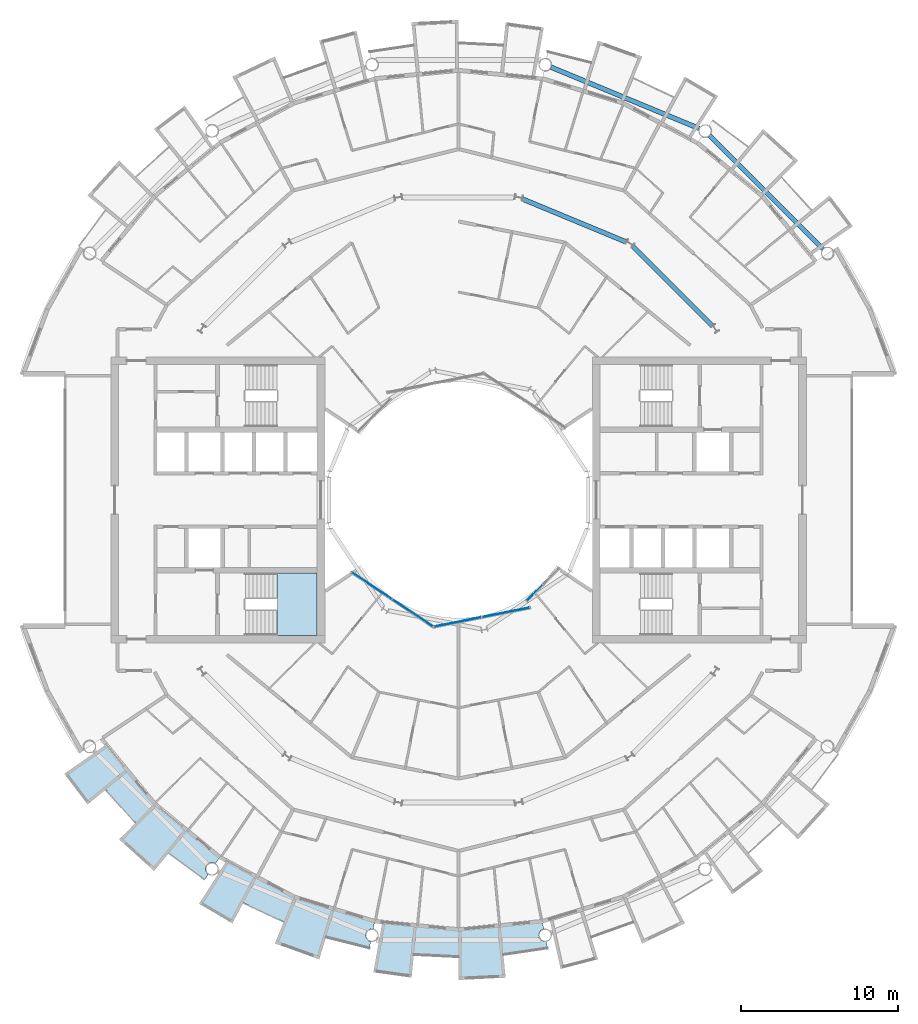
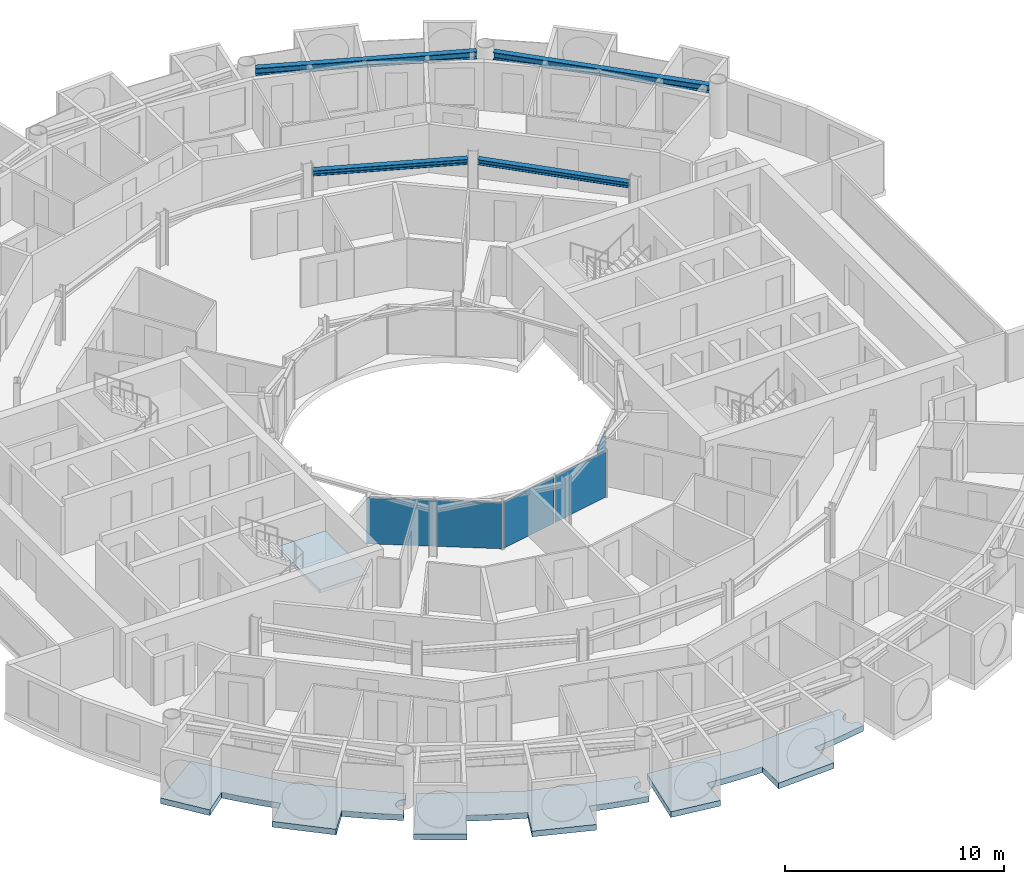
# One storey, part 10 of 27: 5 plates, 4 beams, 4 slabs, 4 elements without a shape of their own.
"""IFC4 building model written with IfcOpenShell, lengths in metres."""

import ifcopenshell
import ifcopenshell.guid

model = None  # the IFC model being written
_history = None  # IfcOwnerHistory: only IFC2X3 demands one
_inside = {}  # id of a spatial element -> (the spatial element, [elements in it])
_under = {}  # id of a project, library or spatial element -> (it, [spatial elements below it])
_declared = {}  # id of a project -> (the project, [libraries it declares])
_typed = {}  # id of a type object -> (the type object, [elements of that type])
_made_of = {}  # id of a material, layer set ... -> (it, [elements and type objects made of it])


def new_model(schema):
    """Start an empty IFC model of exactly this schema.

    Asked for "IFC4X3", IfcOpenShell would pick the latest addendum, in which some entities
    have other attributes; the version numbers below select the first issue.
    IFC2X3 requires an IfcOwnerHistory on every rooted entity: one is made here for all.
    """
    global model, _history
    if schema == "IFC4X3":
        model = ifcopenshell.file(schema_version=(4, 3, 0, 0))
    else:
        model = ifcopenshell.file(schema=schema)
    _inside.clear()
    _under.clear()
    _declared.clear()
    _typed.clear()
    _made_of.clear()
    _history = None
    if model.schema == "IFC2X3":
        org = make("IfcOrganization", Name="unknown")
        user = make(
            "IfcPersonAndOrganization",
            ThePerson=make("IfcPerson", FamilyName="unknown"),
            TheOrganization=org,
        )
        app = make(
            "IfcApplication",
            ApplicationDeveloper=org,
            Version="unknown",
            ApplicationFullName="unknown",
            ApplicationIdentifier="unknown",
        )
        _history = make(
            "IfcOwnerHistory",
            OwningUser=user,
            OwningApplication=app,
            ChangeAction="ADDED",
            CreationDate=0,
        )
    return model


def make(cls, **values):
    """One entity of the class cls with the attributes given. An attribute that is None is left unset."""
    return model.create_entity(
        cls, **{name: value for name, value in values.items() if value is not None}
    )


def rooted(cls, **values):
    """An entity with a GlobalId (a new one), such as an element, a storey or a relation."""
    return make(cls, GlobalId=ifcopenshell.guid.new(), OwnerHistory=_history, **values)


def si_unit(unit_type, name, prefix=None):
    """IfcSIUnit, for example si_unit("LENGTHUNIT", "METRE", prefix="MILLI")."""
    return make("IfcSIUnit", UnitType=unit_type, Prefix=prefix, Name=name)


def assignment(units):
    """IfcUnitAssignment: the units of a project."""
    return None if units is None else make("IfcUnitAssignment", Units=units)


def point(xyz):
    """IfcCartesianPoint."""
    return None if xyz is None else make("IfcCartesianPoint", Coordinates=xyz)


def direction(xyz):
    """IfcDirection."""
    return None if xyz is None else make("IfcDirection", DirectionRatios=xyz)


def frame(location, z_axis=None, x_axis=None):
    """IfcAxis2Placement3D, a coordinate frame: its origin and axes. An axis left out is left unset."""
    return make(
        "IfcAxis2Placement3D",
        Location=point(location),
        Axis=direction(z_axis),
        RefDirection=direction(x_axis),
    )


def frame_2d(location, x_axis=None):
    """IfcAxis2Placement2D, a coordinate frame in the plane: its origin and x axis."""
    return make(
        "IfcAxis2Placement2D", Location=point(location), RefDirection=direction(x_axis)
    )


def origin():
    """The frame at (0, 0, 0) with its axes left unset."""
    return frame((0.0, 0.0, 0.0))


def origin_2d():
    """The frame at (0, 0) in the plane with its x axis left unset."""
    return frame_2d((0.0, 0.0))


def place(relative_to, where):
    """IfcLocalPlacement: puts the frame where relative to a parent placement (None: the world)."""
    return make(
        "IfcLocalPlacement", PlacementRelTo=relative_to, RelativePlacement=where
    )


def context(
    kind, dimensions, precision=None, world=None, true_north=None, identifier=None
):
    """IfcGeometricRepresentationContext, for example the 3D "Model" context."""
    return make(
        "IfcGeometricRepresentationContext",
        ContextIdentifier=identifier,
        ContextType=kind,
        CoordinateSpaceDimension=dimensions,
        Precision=precision,
        WorldCoordinateSystem=world,
        TrueNorth=true_north,
    )


def subcontext(parent, identifier, kind, view, scale=None):
    """IfcGeometricRepresentationSubContext, for example "Body" below "Model"."""
    return make(
        "IfcGeometricRepresentationSubContext",
        ContextIdentifier=identifier,
        ContextType=kind,
        ParentContext=parent,
        TargetScale=scale,
        TargetView=view,
    )


def project(units=None, contexts=None):
    """IfcProject with its units and contexts."""
    return rooted(
        "IfcProject",
        Name="project",
        RepresentationContexts=contexts,
        UnitsInContext=assignment(units),
    )


def spatial(cls, under=None, at=None, **own):
    """A site, building, storey or space (cls), placed at a placement, below another one or the project."""
    s = rooted(cls, ObjectPlacement=at, **own)
    if under is not None:
        _under.setdefault(under.id(), (under, []))[1].append(s)
    return s


def polyline(points):
    """IfcPolyline through the points."""
    return make("IfcPolyline", Points=[point(p) for p in points])


def profile(cls, at=None, kind="AREA", **sizes):
    """A parametric profile (cls). Its sizes go by their IFC names, for example OverallWidth=200.0."""
    return make(cls, ProfileType=kind, Position=at, **sizes)


def rectangle(**sizes):
    """IfcRectangleProfileDef."""
    return profile("IfcRectangleProfileDef", **sizes)


def i_section(**sizes):
    """IfcIShapeProfileDef."""
    return profile("IfcIShapeProfileDef", **sizes)


def outline(outer, holes=None, kind="AREA"):
    """IfcArbitraryClosedProfileDef: a profile drawn as a closed curve; with holes, ...WithVoids."""
    if holes is None:
        return make("IfcArbitraryClosedProfileDef", ProfileType=kind, OuterCurve=outer)
    return make(
        "IfcArbitraryProfileDefWithVoids",
        ProfileType=kind,
        OuterCurve=outer,
        InnerCurves=holes,
    )


def extrude(swept, where, along, depth):
    """IfcExtrudedAreaSolid: the profile swept, set in the frame where, extruded along a direction by depth."""
    return make(
        "IfcExtrudedAreaSolid",
        SweptArea=swept,
        Position=where,
        ExtrudedDirection=direction(along),
        Depth=depth,
    )


def shape(context_of_items, identifier, shape_type, items):
    """IfcShapeRepresentation: the items that make up one representation, for example the "Body"."""
    return make(
        "IfcShapeRepresentation",
        ContextOfItems=context_of_items,
        RepresentationIdentifier=identifier,
        RepresentationType=shape_type,
        Items=items,
    )


def material(Name=None, Category=None):
    """IfcMaterial."""
    return make("IfcMaterial", Name=Name, Category=Category)


def layer(
    of_material, thickness, ventilated=None, Name=None, Category=None, Priority=None
):
    """IfcMaterialLayer: one layer of a wall or slab, of a material (None: an air gap)."""
    return make(
        "IfcMaterialLayer",
        Material=of_material,
        LayerThickness=thickness,
        IsVentilated=ventilated,
        Name=Name,
        Category=Category,
        Priority=Priority,
    )


def layer_set(layers, Name=None):
    """IfcMaterialLayerSet."""
    return make("IfcMaterialLayerSet", MaterialLayers=layers, LayerSetName=Name)


def material_profile(
    of_material, cross_section, Name=None, Category=None, Priority=None
):
    """IfcMaterialProfile: a cross section and its material."""
    return make(
        "IfcMaterialProfile",
        Name=Name,
        Material=of_material,
        Profile=cross_section,
        Priority=Priority,
        Category=Category,
    )


def profile_set(profiles, Name=None, composite=None):
    """IfcMaterialProfileSet."""
    return make(
        "IfcMaterialProfileSet",
        Name=Name,
        MaterialProfiles=profiles,
        CompositeProfile=composite,
    )


def made_of(thing, what):
    """Note that an element or type object is made of a material, layer set ...; save() writes the relation."""
    if what is not None:
        _made_of.setdefault(what.id(), (what, []))[1].append(thing)
    return thing


def type_object(cls, material=None, **own):
    """A type object (cls), such as IfcWallType, which elements share."""
    return made_of(rooted(cls, **own), material)


def element(
    cls,
    number,
    at=None,
    inside=None,
    cuts=None,
    type_object=None,
    material=None,
    context=None,
    identifier="Body",
    shape_type=None,
    held_by="IfcProductDefinitionShape",
    body=None,
    shapes=None,
    **own,
):
    """One element of the class cls, such as IfcWall. Its Tag is "e" and its number.

    at: its placement. inside: the storey or other place that contains it. cuts: it is an
    opening in that element (IfcRelVoidsElement). A single representation is given by context,
    identifier, shape_type and body (its items); several are given by shapes. held_by: the class
    of the entity that holds the representations. save() writes the other relations.
    """
    e = rooted(cls, Tag="e%d" % number, ObjectPlacement=at, **own)
    if body is not None:
        shapes = [shape(context, identifier, shape_type, body)]
    if shapes is not None:
        e.Representation = make(held_by, Representations=shapes)
    if inside is not None:
        _inside.setdefault(inside.id(), (inside, []))[1].append(e)
    if cuts is not None:
        rooted(
            "IfcRelVoidsElement", RelatingBuildingElement=cuts, RelatedOpeningElement=e
        )
    if type_object is not None:
        _typed.setdefault(type_object.id(), (type_object, []))[1].append(e)
    return made_of(e, material)


def aggregate(whole, parts):
    """IfcRelAggregates: a whole, such as a stair, and the parts it consists of."""
    return rooted("IfcRelAggregates", RelatingObject=whole, RelatedObjects=parts)


def save(model, path):
    """Write the relations noted so far, then the file.

    IfcRelAggregates (storeys below a building ...), IfcRelContainedInSpatialStructure (elements
    in a storey), IfcRelDefinesByType, IfcRelAssociatesMaterial and IfcRelDeclares: one each for
    every whole, place, type object, material and project.
    """
    for whole, parts in _under.values():
        aggregate(whole, parts)
    for where, things in _inside.values():
        rooted(
            "IfcRelContainedInSpatialStructure",
            RelatedElements=things,
            RelatingStructure=where,
        )
    for kind, things in _typed.values():
        rooted("IfcRelDefinesByType", RelatedObjects=things, RelatingType=kind)
    for what, things in _made_of.values():
        rooted("IfcRelAssociatesMaterial", RelatedObjects=things, RelatingMaterial=what)
    for by, libraries in _declared.values():
        rooted("IfcRelDeclares", RelatingContext=by, RelatedDefinitions=libraries)
    model.write(path)


model = new_model("IFC4")

# Units and contexts
model_context = context("Model", 3, precision=1e-05, world=origin(), true_north=direction((0.0, 1.0)))
body_context = subcontext(model_context, "Body", "Model", "MODEL_VIEW")
ifc_project = project(units=[si_unit("LENGTHUNIT", "METRE"), si_unit("AREAUNIT", "SQUARE_METRE"), si_unit("VOLUMEUNIT", "CUBIC_METRE"), si_unit("PLANEANGLEUNIT", "RADIAN"), si_unit("MASSUNIT", "GRAM", prefix="KILO")], contexts=[model_context])

# Site, building, storey
site_placement = place(None, origin())
site = spatial("IfcSite", under=ifc_project, at=site_placement, CompositionType="ELEMENT")
building_placement = place(site_placement, origin())
building = spatial("IfcBuilding", under=site, at=building_placement, Name="Maasbend Ring Residences", CompositionType="ELEMENT")
storey_placement = place(building_placement, frame((0.0, 0.0, 164.64990234375)))
storey = spatial("IfcBuildingStorey", under=building, at=storey_placement, Name="L47", CompositionType="ELEMENT", Elevation=164.64990234375)

# Beams
ifc_material_1 = material(Name="Steel S355J2", Category="steel")
ifc_material_profile_1 = material_profile(ifc_material_1, i_section(OverallWidth=0.300048828125, OverallDepth=0.2900390625, WebThickness=0.008544921875, FlangeThickness=0.013916015625, FilletRadius=0.027099609375, at=origin_2d()), Name="HEA 300")
ifc_profile_set_1 = profile_set([ifc_material_profile_1], Name="Steel S355J2")
beam_type_1 = type_object("IfcBeamType", Name="Corridor ring beam HEA 300", PredefinedType="BEAM", material=ifc_profile_set_1)
for number, where, z_axis, x_axis, name in (
    (1, (16.11669921875, 11.0693359375, 2.55517578125), (-0.707106781187, 0.707106781187, 0.0), (-0.707106781187, -0.707106781187, 0.0), "Corridor ring beam"),
    (2, (10.65380859375, 16.394287109375, 2.55517578125), (-0.923871339849, 0.382703210602, 0.0), (-0.382703210602, -0.923871339849, 0.0), "Corridor ring beam"),
):
    element("IfcBeam", number, at=place(storey_placement, frame(where, z_axis=z_axis, x_axis=x_axis)), inside=storey, type_object=beam_type_1, Name=name, PredefinedType="BEAM", context=body_context, shape_type="SweptSolid", body=[
        extrude(i_section(OverallWidth=0.300048828125, OverallDepth=0.2900390625, WebThickness=0.008544921875, FlangeThickness=0.013916015625, FilletRadius=0.027099609375, at=origin_2d()), origin(), (0.0, 0.0, 1.0), 7.137939453125),
    ])
ifc_material_2 = material(Name="Steel S355J2", Category="steel")
ifc_material_profile_2 = material_profile(ifc_material_2, i_section(OverallWidth=0.300048828125, OverallDepth=0.39990234375, WebThickness=0.013427734375, FlangeThickness=0.02392578125, FilletRadius=0.027099609375, at=origin_2d()), Name="HEB 400")
ifc_profile_set_2 = profile_set([ifc_material_profile_2], Name="Steel S355J2")
beam_type_2 = type_object("IfcBeamType", Name="Spandrel ring beam HEB 400", PredefinedType="SPANDREL", material=ifc_profile_set_2)
for number, where, z_axis, x_axis, name in (
    (3, (23.159912109375, 15.95458984375, 2.5), (-0.707106781187, 0.707106781187, 0.0), (-0.707106781187, -0.707106781187, 0.0), "Spandrel ring beam"),
    (4, (15.29150390625, 23.60302734375, 2.5), (-0.923883676188, 0.382673428492, 0.0), (-0.382673428492, -0.923883676188, 0.0), "Spandrel ring beam"),
):
    element("IfcBeam", number, at=place(storey_placement, frame(where, z_axis=z_axis, x_axis=x_axis)), inside=storey, type_object=beam_type_2, Name=name, PredefinedType="SPANDREL", context=body_context, shape_type="SweptSolid", body=[
        extrude(i_section(OverallWidth=0.300048828125, OverallDepth=0.39990234375, WebThickness=0.013427734375, FlangeThickness=0.02392578125, FilletRadius=0.027099609375, at=origin_2d()), origin(), (0.0, 0.0, 1.0), 10.18994140625),
    ])

# Stair, slab
ifc_material_3 = material(Name="Concrete C40/50", Category="concrete")
stair_type = type_object("IfcStairType", Name="CORE STAIR 18 RISERS", PredefinedType="HALF_TURN_STAIR", material=ifc_material_3)
stair_placement = place(storey_placement, origin())
stair = element("IfcStair", 5, at=stair_placement, inside=storey, type_object=stair_type, Name="L47 Exit stair ST-W1", PredefinedType="HALF_TURN_STAIR")
ifc_material_4 = material(Name="Concrete C40/50", Category="concrete")
ifc_layer_1 = layer(ifc_material_4, 0.199951171875)
ifc_layer_set_1 = layer_set([ifc_layer_1], Name="Concrete C40/50")
slab_type_1 = type_object("IfcSlabType", Name="CORE STAIR LANDING 200", PredefinedType="LANDING", material=ifc_layer_set_1)
slab_1_placement = place(storey_placement, frame((0.0, 0.0, 1.3251953125)))
slab_1 = element("IfcSlab", 6, at=slab_1_placement, type_object=slab_type_1, Name="ST-W1 landing 1", PredefinedType="LANDING", context=body_context, shape_type="SweptSolid", body=[
    extrude(outline(polyline([(-11.550048828125, -8.60009765625), (-9.0, -8.60009765625), (-9.0, -4.64990234375), (-11.550048828125, -4.64990234375), (-11.550048828125, -8.60009765625)])), origin(), (0.0, 0.0, 1.0), 0.199951171875),
])
aggregate(stair, [slab_1])

# Curtain wall, plates
ifc_material_5 = material(Name="Aluminium and clear glass", Category="aluminium")
ifc_layer_2 = layer(ifc_material_5, 0.179931640625)
ifc_layer_set_2 = layer_set([ifc_layer_2], Name="CW-W")
curtain_wall_type = type_object("IfcCurtainWallType", Name="CW-W", PredefinedType="NOTDEFINED", material=ifc_layer_set_2)
curtain_wall_1_placement = place(storey_placement, origin())
curtain_wall_1 = element("IfcCurtainWall", 7, at=curtain_wall_1_placement, inside=storey, type_object=curtain_wall_type, Name="Well curtain wall S1", PredefinedType="NOTDEFINED")
ifc_material_6 = material(Name="Glass clear laminated", Category="glass")
ifc_layer_3 = layer(ifc_material_6, 0.031982421875)
ifc_layer_set_3 = layer_set([ifc_layer_3], Name="CWP-W")
plate_type = type_object("IfcPlateType", Name="CWP-W", PredefinedType="CURTAIN_PANEL", material=ifc_layer_set_3)
plate_1_placement = place(storey_placement, frame((-5.51123046875, -5.44580078125, 0.0), z_axis=(0.0, 0.0, 1.0), x_axis=(0.831469612303, -0.55557023302, 0.0)))
plate_1 = element("IfcPlate", 8, at=plate_1_placement, type_object=plate_type, Name="Glass panel well face", PredefinedType="CURTAIN_PANEL", context=body_context, shape_type="SweptSolid", body=[
    extrude(rectangle(XDim=3.053955078125, YDim=0.031982421875, at=origin_2d()), origin(), (0.0, 0.0, 1.0), 2.580078125),
])
plate_2_placement = place(storey_placement, frame((-2.922119140625, -7.17578125, 0.0), z_axis=(0.0, 0.0, 1.0), x_axis=(0.831469612303, -0.55557023302, 0.0)))
plate_2 = element("IfcPlate", 9, at=plate_2_placement, type_object=plate_type, Name="Glass panel well face", PredefinedType="CURTAIN_PANEL", context=body_context, shape_type="SweptSolid", body=[
    extrude(rectangle(XDim=3.053955078125, YDim=0.031982421875, at=origin_2d()), origin(), (0.0, 0.0, 1.0), 2.580078125),
])
aggregate(curtain_wall_1, [plate_1, plate_2])

curtain_wall_2_placement = place(storey_placement, origin())
curtain_wall_2 = element("IfcCurtainWall", 10, at=curtain_wall_2_placement, inside=storey, type_object=curtain_wall_type, Name="Well curtain wall S2", PredefinedType="NOTDEFINED")
plate_3_placement = place(storey_placement, frame((-0.04638671875, -7.747802734375, 0.0), z_axis=(0.0, 0.0, 1.0), x_axis=(0.980785280403, 0.195090322016, 0.0)))
plate_3 = element("IfcPlate", 11, at=plate_3_placement, type_object=plate_type, Name="Glass panel well face", PredefinedType="CURTAIN_PANEL", context=body_context, shape_type="SweptSolid", body=[
    extrude(rectangle(XDim=3.053955078125, YDim=0.031982421875, at=origin_2d()), origin(), (0.0, 0.0, 1.0), 2.580078125),
])
plate_4_placement = place(storey_placement, frame((3.0078125, -7.140380859375, 0.0), z_axis=(0.0, 0.0, 1.0), x_axis=(0.980785280403, 0.195090322016, 0.0)))
plate_4 = element("IfcPlate", 12, at=plate_4_placement, type_object=plate_type, Name="Glass panel well face", PredefinedType="CURTAIN_PANEL", context=body_context, shape_type="SweptSolid", body=[
    extrude(rectangle(XDim=3.053955078125, YDim=0.031982421875, at=origin_2d()), origin(), (0.0, 0.0, 1.0), 2.580078125),
])
aggregate(curtain_wall_2, [plate_3, plate_4])

# Curtain wall, plate
curtain_wall_3_placement = place(storey_placement, origin())
curtain_wall_3 = element("IfcCurtainWall", 13, at=curtain_wall_3_placement, inside=storey, type_object=curtain_wall_type, Name="Well curtain wall S3", PredefinedType="NOTDEFINED")
plate_5_placement = place(storey_placement, frame((4.84375, -5.89013671875, 0.0), z_axis=(0.0, 0.0, 1.0), x_axis=(0.707106781187, 0.707106781187, 0.0)))
plate_5 = element("IfcPlate", 14, at=plate_5_placement, type_object=plate_type, Name="Glass panel well face", PredefinedType="CURTAIN_PANEL", context=body_context, shape_type="SweptSolid", body=[
    extrude(rectangle(XDim=1.419677734375, YDim=0.031982421875, at=origin_2d()), origin(), (0.0, 0.0, 1.0), 2.580078125),
])
aggregate(curtain_wall_3, [plate_5])

# Slabs
ifc_material_7 = material(Name="Concrete C40/50", Category="concrete")
ifc_layer_4 = layer(ifc_material_7, 0.199951171875)
ifc_layer_set_4 = layer_set([ifc_layer_4], Name="Concrete C40/50")
slab_type_2 = type_object("IfcSlabType", Name="SL-LOGGIA", PredefinedType="FLOOR", material=ifc_layer_set_4)
slab_2_placement = place(storey_placement, frame((0.0, 0.0, -0.349853515625)))
element("IfcSlab", 15, at=slab_2_placement, inside=storey, type_object=slab_type_2, Name="Loggia floor 2", PredefinedType="FLOOR", context=body_context, shape_type="SweptSolid", body=[
    extrude(outline(polyline([(-12.806884765625, -23.9609375), (-10.447021484375, -25.221923828125), (-10.447021484375, -25.221923828125), (-10.447021484375, -25.221923828125), (-7.886962890625, -25.9990234375), (-5.325927734375, -26.77490234375), (-5.325927734375, -26.77490234375), (-5.325927734375, -26.77490234375), (-5.422119140625, -27.259033203125), (-5.431884765625, -27.258056640625), (-5.44189453125, -27.256103515625), (-5.451904296875, -27.2548828125), (-5.4619140625, -27.25390625), (-5.471923828125, -27.2529296875), (-5.48193359375, -27.251953125), (-5.491943359375, -27.251953125), (-5.501953125, -27.251953125), (-5.510986328125, -27.251953125), (-5.52099609375, -27.251953125), (-5.531005859375, -27.2529296875), (-5.541015625, -27.25390625), (-5.551025390625, -27.2548828125), (-5.56103515625, -27.256103515625), (-5.571044921875, -27.258056640625), (-5.5810546875, -27.259033203125), (-5.591064453125, -27.260986328125), (-5.60009765625, -27.263916015625), (-5.610107421875, -27.26611328125), (-5.6201171875, -27.26904296875), (-5.62890625, -27.27197265625), (-5.637939453125, -27.27490234375), (-5.64794921875, -27.279052734375), (-5.656982421875, -27.282958984375), (-5.666015625, -27.285888671875), (-5.675048828125, -27.291015625), (-5.68408203125, -27.294921875), (-5.693115234375, -27.300048828125), (-5.701904296875, -27.303955078125), (-5.7099609375, -27.30908203125), (-5.718994140625, -27.31494140625), (-5.72705078125, -27.320068359375), (-5.736083984375, -27.325927734375), (-5.743896484375, -27.33203125), (-5.751953125, -27.337890625), (-5.759033203125, -27.343994140625), (-5.76708984375, -27.35009765625), (-5.77392578125, -27.35693359375), (-5.781982421875, -27.364013671875), (-5.7890625, -27.37109375), (-5.7958984375, -27.3779296875), (-5.802978515625, -27.385009765625), (-5.80908203125, -27.39306640625), (-5.81591796875, -27.39990234375), (-5.822021484375, -27.407958984375), (-5.827880859375, -27.416015625), (-5.833984375, -27.424072265625), (-5.839111328125, -27.431884765625), (-5.844970703125, -27.44091796875), (-5.85009765625, -27.448974609375), (-5.85498046875, -27.4580078125), (-5.860107421875, -27.466064453125), (-5.864990234375, -27.47509765625), (-5.868896484375, -27.48388671875), (-5.873046875, -27.492919921875), (-5.876953125, -27.5029296875), (-5.881103515625, -27.511962890625), (-5.884033203125, -27.52099609375), (-5.886962890625, -27.531005859375), (-5.889892578125, -27.5400390625), (-5.89306640625, -27.550048828125), (-5.89599609375, -27.55908203125), (-5.89794921875, -27.569091796875), (-5.89990234375, -27.5791015625), (-5.902099609375, -27.589111328125), (-5.904052734375, -27.597900390625), (-5.905029296875, -27.60791015625), (-5.906005859375, -27.617919921875), (-5.906982421875, -27.6279296875), (-5.907958984375, -27.637939453125), (-5.907958984375, -27.64794921875), (-5.907958984375, -27.657958984375), (-5.907958984375, -27.66796875), (-5.907958984375, -27.677978515625), (-5.906982421875, -27.68798828125), (-5.906005859375, -27.697998046875), (-5.905029296875, -27.7080078125), (-5.904052734375, -27.718017578125), (-5.902099609375, -27.72802734375), (-5.89990234375, -27.737060546875), (-5.89794921875, -27.7470703125), (-5.89599609375, -27.757080078125), (-5.89306640625, -27.76708984375), (-5.889892578125, -27.77587890625), (-5.886962890625, -27.785888671875), (-5.884033203125, -27.794921875), (-5.881103515625, -27.803955078125), (-5.876953125, -27.81396484375), (-5.873046875, -27.822998046875), (-5.868896484375, -27.83203125), (-5.864990234375, -27.841064453125), (-5.860107421875, -27.85009765625), (-5.85498046875, -27.85791015625), (-5.85009765625, -27.866943359375), (-5.844970703125, -27.8759765625), (-5.839111328125, -27.884033203125), (-5.833984375, -27.89208984375), (-5.827880859375, -27.89990234375), (-5.822021484375, -27.907958984375), (-5.81591796875, -27.916015625), (-5.80908203125, -27.924072265625), (-5.802978515625, -27.930908203125), (-5.7958984375, -27.93798828125), (-5.7890625, -27.946044921875), (-5.781982421875, -27.952880859375), (-5.77392578125, -27.958984375), (-5.76708984375, -27.966064453125), (-5.759033203125, -27.971923828125), (-5.751953125, -27.97900390625), (-5.743896484375, -27.985107421875), (-5.736083984375, -27.989990234375), (-5.72705078125, -27.99609375), (-5.718994140625, -28.001953125), (-5.7099609375, -28.007080078125), (-5.701904296875, -28.011962890625), (-5.693115234375, -28.01708984375), (-5.68408203125, -28.02099609375), (-5.675048828125, -28.02587890625), (-5.666015625, -28.030029296875), (-5.656982421875, -28.033935546875), (-5.64794921875, -28.037109375), (-5.637939453125, -28.041015625), (-5.62890625, -28.0439453125), (-5.6201171875, -28.047119140625), (-5.610107421875, -28.050048828125), (-5.60009765625, -28.052001953125), (-5.591064453125, -28.054931640625), (-5.5810546875, -28.056884765625), (-5.657958984375, -28.443115234375), (-5.657958984375, -28.443115234375), (-5.657958984375, -28.443115234375), (-6.5849609375, -28.241943359375), (-6.5849609375, -28.241943359375), (-7.506103515625, -28.011962890625), (-7.506103515625, -28.011962890625), (-8.41796875, -27.7509765625), (-8.41796875, -27.7509765625), (-8.41796875, -27.7509765625), (-8.41796875, -27.7509765625), (-8.41796875, -27.7509765625), (-8.41796875, -27.7509765625), (-8.41796875, -27.7509765625), (-8.41796875, -27.7509765625), (-8.41796875, -27.7509765625), (-8.41796875, -27.7509765625), (-8.41796875, -27.751953125), (-8.41796875, -27.751953125), (-8.41796875, -27.751953125), (-8.41796875, -27.751953125), (-8.41796875, -27.751953125), (-8.41796875, -27.751953125), (-8.41796875, -27.751953125), (-8.85400390625, -29.18701171875), (-8.85400390625, -29.18701171875), (-8.85400390625, -29.18701171875), (-11.672119140625, -28.177978515625), (-11.672119140625, -28.177978515625), (-11.672119140625, -28.177978515625), (-11.097900390625, -26.79296875), (-11.097900390625, -26.79296875), (-11.097900390625, -26.79296875), (-11.097900390625, -26.79296875), (-11.097900390625, -26.79296875), (-11.097900390625, -26.79296875), (-11.097900390625, -26.79296875), (-11.097900390625, -26.79296875), (-11.097900390625, -26.79296875), (-11.097900390625, -26.79296875), (-11.097900390625, -26.7919921875), (-11.097900390625, -26.7919921875), (-11.097900390625, -26.7919921875), (-11.097900390625, -26.7919921875), (-11.097900390625, -26.7919921875), (-11.097900390625, -26.7919921875), (-11.097900390625, -26.7919921875), (-11.968994140625, -26.4150390625), (-11.968994140625, -26.4150390625), (-12.825927734375, -26.009033203125), (-12.825927734375, -26.009033203125), (-13.669921875, -25.575927734375), (-13.669921875, -25.575927734375), (-13.669921875, -25.575927734375), (-13.669921875, -25.575927734375), (-13.669921875, -25.575927734375), (-13.669921875, -25.575927734375), (-13.669921875, -25.575927734375), (-13.669921875, -25.575927734375), (-13.669921875, -25.575927734375), (-13.669921875, -25.575927734375), (-13.6708984375, -25.575927734375), (-13.6708984375, -25.575927734375), (-13.6708984375, -25.575927734375), (-13.6708984375, -25.575927734375), (-13.6708984375, -25.575927734375), (-13.6708984375, -25.575927734375), (-13.6708984375, -25.575927734375), (-14.3779296875, -26.89892578125), (-14.3779296875, -26.89892578125), (-14.3779296875, -26.89892578125), (-16.487060546875, -25.659912109375), (-16.487060546875, -25.659912109375), (-16.487060546875, -25.659912109375), (-14.73291015625, -22.930908203125), (-14.73291015625, -22.930908203125), (-14.73291015625, -22.930908203125), (-12.806884765625, -23.9609375)])), origin(), (0.0, 0.0, 1.0), 0.320068359375),
])
slab_3_placement = place(storey_placement, frame((0.0, 0.0, -0.349853515625)))
element("IfcSlab", 16, at=slab_3_placement, inside=storey, type_object=slab_type_2, Name="Loggia floor 3", PredefinedType="FLOOR", context=body_context, shape_type="SweptSolid", body=[
    extrude(outline(polyline([(-2.6630859375, -27.0380859375), (0.0, -27.300048828125), (0.0, -27.300048828125), (0.0, -27.300048828125), (2.6630859375, -27.0380859375), (5.325927734375, -26.77490234375), (5.325927734375, -26.77490234375), (5.325927734375, -26.77490234375), (5.422119140625, -27.259033203125), (5.422119140625, -27.259033203125), (5.412109375, -27.260986328125), (5.403076171875, -27.263916015625), (5.39306640625, -27.26611328125), (5.383056640625, -27.26904296875), (5.3740234375, -27.27197265625), (5.364990234375, -27.27490234375), (5.35498046875, -27.279052734375), (5.345947265625, -27.282958984375), (5.3369140625, -27.285888671875), (5.327880859375, -27.291015625), (5.319091796875, -27.294921875), (5.31005859375, -27.300048828125), (5.301025390625, -27.303955078125), (5.29296875, -27.30908203125), (5.283935546875, -27.31494140625), (5.27587890625, -27.320068359375), (5.26708984375, -27.325927734375), (5.259033203125, -27.33203125), (5.2509765625, -27.337890625), (5.243896484375, -27.343994140625), (5.236083984375, -27.35009765625), (5.22900390625, -27.35693359375), (5.220947265625, -27.364013671875), (5.214111328125, -27.37109375), (5.20703125, -27.3779296875), (5.199951171875, -27.385009765625), (5.194091796875, -27.39306640625), (5.18701171875, -27.39990234375), (5.180908203125, -27.407958984375), (5.175048828125, -27.416015625), (5.1689453125, -27.424072265625), (5.1640625, -27.431884765625), (5.157958984375, -27.44091796875), (5.153076171875, -27.448974609375), (5.14794921875, -27.4580078125), (5.14306640625, -27.466064453125), (5.137939453125, -27.47509765625), (5.134033203125, -27.48388671875), (5.1298828125, -27.492919921875), (5.1259765625, -27.5029296875), (5.1220703125, -27.511962890625), (5.118896484375, -27.52099609375), (5.115966796875, -27.531005859375), (5.113037109375, -27.5400390625), (5.110107421875, -27.550048828125), (5.10693359375, -27.55908203125), (5.10498046875, -27.569091796875), (5.10302734375, -27.5791015625), (5.10107421875, -27.589111328125), (5.09912109375, -27.597900390625), (5.097900390625, -27.60791015625), (5.096923828125, -27.617919921875), (5.095947265625, -27.6279296875), (5.094970703125, -27.637939453125), (5.094970703125, -27.64794921875), (5.094970703125, -27.657958984375), (5.094970703125, -27.66796875), (5.094970703125, -27.677978515625), (5.095947265625, -27.68798828125), (5.096923828125, -27.697998046875), (5.097900390625, -27.7080078125), (5.09912109375, -27.718017578125), (5.10107421875, -27.72802734375), (5.10302734375, -27.737060546875), (5.10498046875, -27.7470703125), (5.10693359375, -27.757080078125), (5.110107421875, -27.76708984375), (5.113037109375, -27.77587890625), (5.115966796875, -27.785888671875), (5.118896484375, -27.794921875), (5.1220703125, -27.803955078125), (5.1259765625, -27.81396484375), (5.1298828125, -27.822998046875), (5.134033203125, -27.83203125), (5.137939453125, -27.841064453125), (5.14306640625, -27.85009765625), (5.14794921875, -27.85791015625), (5.153076171875, -27.866943359375), (5.157958984375, -27.8759765625), (5.1640625, -27.884033203125), (5.1689453125, -27.89208984375), (5.175048828125, -27.89990234375), (5.180908203125, -27.907958984375), (5.18701171875, -27.916015625), (5.194091796875, -27.924072265625), (5.199951171875, -27.930908203125), (5.20703125, -27.93798828125), (5.214111328125, -27.946044921875), (5.220947265625, -27.952880859375), (5.22900390625, -27.958984375), (5.236083984375, -27.966064453125), (5.243896484375, -27.971923828125), (5.2509765625, -27.97900390625), (5.259033203125, -27.985107421875), (5.26708984375, -27.989990234375), (5.27587890625, -27.99609375), (5.283935546875, -28.001953125), (5.29296875, -28.007080078125), (5.301025390625, -28.011962890625), (5.31005859375, -28.01708984375), (5.319091796875, -28.02099609375), (5.327880859375, -28.02587890625), (5.3369140625, -28.030029296875), (5.345947265625, -28.033935546875), (5.35498046875, -28.037109375), (5.364990234375, -28.041015625), (5.3740234375, -28.0439453125), (5.383056640625, -28.047119140625), (5.39306640625, -28.050048828125), (5.403076171875, -28.052001953125), (5.412109375, -28.054931640625), (5.422119140625, -28.056884765625), (5.431884765625, -28.05908203125), (5.44189453125, -28.06005859375), (5.451904296875, -28.06201171875), (5.4619140625, -28.06298828125), (5.471923828125, -28.06298828125), (5.48193359375, -28.06396484375), (5.491943359375, -28.06396484375), (5.501953125, -28.06494140625), (5.510986328125, -28.06396484375), (5.52099609375, -28.06396484375), (5.531005859375, -28.06298828125), (5.541015625, -28.06298828125), (5.551025390625, -28.06201171875), (5.56103515625, -28.06005859375), (5.571044921875, -28.05908203125), (5.5810546875, -28.056884765625), (5.5810546875, -28.056884765625), (5.657958984375, -28.443115234375), (5.657958984375, -28.443115234375), (5.657958984375, -28.443115234375), (4.72412109375, -28.613037109375), (4.72412109375, -28.613037109375), (3.784912109375, -28.751953125), (3.784912109375, -28.751953125), (2.843017578125, -28.860107421875), (2.843017578125, -28.860107421875), (2.843017578125, -28.860107421875), (2.843017578125, -28.860107421875), (2.843017578125, -28.860107421875), (2.843017578125, -28.860107421875), (2.843017578125, -28.860107421875), (2.843017578125, -28.860107421875), (2.843017578125, -28.860107421875), (2.843017578125, -28.861083984375), (2.843017578125, -28.861083984375), (2.843017578125, -28.861083984375), (2.843017578125, -28.861083984375), (2.843017578125, -28.861083984375), (2.843017578125, -28.861083984375), (2.843017578125, -28.861083984375), (2.843017578125, -28.861083984375), (2.989990234375, -30.35302734375), (2.989990234375, -30.35302734375), (2.989990234375, -30.35302734375), (0.0, -30.5), (0.0, -30.5), (0.0, -30.5), (0.0, -29.0), (0.0, -29.0), (0.0, -29.0), (0.0, -29.0), (0.0, -29.0), (0.0, -29.0), (0.0, -29.0), (0.0, -29.0), (0.0, -29.0), (0.0, -29.0), (0.0, -29.0), (0.0, -29.0), (0.0, -29.0), (0.0, -29.0), (0.0, -29.0), (0.0, -29.0), (0.0, -29.0), (-0.948974609375, -28.98388671875), (-0.948974609375, -28.98388671875), (-1.89697265625, -28.93798828125), (-1.89697265625, -28.93798828125), (-2.842041015625, -28.860107421875), (-2.842041015625, -28.860107421875), (-2.842041015625, -28.860107421875), (-2.842041015625, -28.860107421875), (-2.842041015625, -28.860107421875), (-2.842041015625, -28.860107421875), (-2.842041015625, -28.860107421875), (-2.842041015625, -28.860107421875), (-2.842041015625, -28.861083984375), (-2.842041015625, -28.861083984375), (-2.842041015625, -28.861083984375), (-2.842041015625, -28.861083984375), (-2.842041015625, -28.861083984375), (-2.843017578125, -28.861083984375), (-2.843017578125, -28.861083984375), (-2.843017578125, -28.861083984375), (-2.843017578125, -28.861083984375), (-2.989990234375, -30.35302734375), (-2.989990234375, -30.35302734375), (-2.989990234375, -30.35302734375), (-5.412109375, -30.01611328125), (-5.412109375, -30.01611328125), (-5.412109375, -30.01611328125), (-4.8359375, -26.823974609375), (-4.8359375, -26.823974609375), (-4.8359375, -26.823974609375), (-2.6630859375, -27.0380859375)])), origin(), (0.0, 0.0, 1.0), 0.320068359375),
])
slab_4_placement = place(storey_placement, frame((0.0, 0.0, -0.349853515625)))
element("IfcSlab", 17, at=slab_4_placement, inside=storey, type_object=slab_type_2, Name="Loggia floor 5", PredefinedType="FLOOR", context=body_context, shape_type="SweptSolid", body=[
    extrude(outline(polyline([(-21.001953125, -17.236083984375), (-19.303955078125, -19.303955078125), (-19.303955078125, -19.303955078125), (-19.303955078125, -19.303955078125), (-17.236083984375, -21.001953125), (-15.1669921875, -22.698974609375), (-15.1669921875, -22.698974609375), (-15.1669921875, -22.698974609375), (-15.44091796875, -23.10888671875), (-15.44091796875, -23.10888671875), (-15.449951171875, -23.10400390625), (-15.4580078125, -23.09912109375), (-15.467041015625, -23.093994140625), (-15.47509765625, -23.089111328125), (-15.48388671875, -23.083984375), (-15.492919921875, -23.080078125), (-15.501953125, -23.075927734375), (-15.511962890625, -23.072021484375), (-15.52099609375, -23.068115234375), (-15.530029296875, -23.06494140625), (-15.5400390625, -23.06103515625), (-15.549072265625, -23.05810546875), (-15.55908203125, -23.055908203125), (-15.568115234375, -23.052978515625), (-15.577880859375, -23.051025390625), (-15.587890625, -23.049072265625), (-15.597900390625, -23.047119140625), (-15.60693359375, -23.044921875), (-15.616943359375, -23.0439453125), (-15.626953125, -23.04296875), (-15.636962890625, -23.0419921875), (-15.64697265625, -23.041015625), (-15.656982421875, -23.041015625), (-15.6669921875, -23.041015625), (-15.677001953125, -23.041015625), (-15.68701171875, -23.041015625), (-15.697021484375, -23.0419921875), (-15.70703125, -23.04296875), (-15.717041015625, -23.0439453125), (-15.72705078125, -23.044921875), (-15.737060546875, -23.047119140625), (-15.74609375, -23.049072265625), (-15.756103515625, -23.051025390625), (-15.76611328125, -23.052978515625), (-15.77587890625, -23.055908203125), (-15.784912109375, -23.05810546875), (-15.794921875, -23.06103515625), (-15.803955078125, -23.06494140625), (-15.81298828125, -23.068115234375), (-15.822998046875, -23.072021484375), (-15.83203125, -23.075927734375), (-15.841064453125, -23.080078125), (-15.85009765625, -23.083984375), (-15.85888671875, -23.089111328125), (-15.866943359375, -23.093994140625), (-15.8759765625, -23.09912109375), (-15.885009765625, -23.10400390625), (-15.89306640625, -23.10888671875), (-15.90087890625, -23.114990234375), (-15.908935546875, -23.12109375), (-15.9169921875, -23.126953125), (-15.925048828125, -23.133056640625), (-15.93310546875, -23.139892578125), (-15.93994140625, -23.14599609375), (-15.947021484375, -23.153076171875), (-15.955078125, -23.159912109375), (-15.9619140625, -23.1669921875), (-15.968017578125, -23.174072265625), (-15.97509765625, -23.181884765625), (-15.98095703125, -23.18994140625), (-15.988037109375, -23.197021484375), (-15.993896484375, -23.205078125), (-15.9990234375, -23.212890625), (-16.0048828125, -23.221923828125), (-16.010986328125, -23.22998046875), (-16.01611328125, -23.238037109375), (-16.02099609375, -23.2470703125), (-16.02587890625, -23.256103515625), (-16.030029296875, -23.264892578125), (-16.034912109375, -23.27392578125), (-16.0390625, -23.282958984375), (-16.04296875, -23.2919921875), (-16.0458984375, -23.301025390625), (-16.050048828125, -23.31005859375), (-16.052978515625, -23.320068359375), (-16.055908203125, -23.3291015625), (-16.05908203125, -23.339111328125), (-16.06103515625, -23.34912109375), (-16.06396484375, -23.35791015625), (-16.06591796875, -23.367919921875), (-16.068115234375, -23.3779296875), (-16.069091796875, -23.387939453125), (-16.071044921875, -23.39794921875), (-16.072021484375, -23.407958984375), (-16.072021484375, -23.4169921875), (-16.072998046875, -23.427001953125), (-16.072998046875, -23.43701171875), (-16.073974609375, -23.447021484375), (-16.072998046875, -23.45703125), (-16.072998046875, -23.467041015625), (-16.072021484375, -23.47705078125), (-16.072021484375, -23.487060546875), (-16.071044921875, -23.4970703125), (-16.069091796875, -23.507080078125), (-16.068115234375, -23.51708984375), (-16.06591796875, -23.527099609375), (-16.06396484375, -23.535888671875), (-16.06103515625, -23.5458984375), (-16.05908203125, -23.555908203125), (-16.055908203125, -23.56494140625), (-16.052978515625, -23.574951171875), (-16.050048828125, -23.583984375), (-16.0458984375, -23.593994140625), (-16.04296875, -23.60302734375), (-16.0390625, -23.612060546875), (-16.034912109375, -23.62109375), (-16.030029296875, -23.6298828125), (-16.02587890625, -23.638916015625), (-16.02099609375, -23.64794921875), (-16.01611328125, -23.656005859375), (-16.010986328125, -23.6650390625), (-16.0048828125, -23.673095703125), (-15.9990234375, -23.680908203125), (-15.993896484375, -23.68994140625), (-15.988037109375, -23.697021484375), (-15.98095703125, -23.705078125), (-15.97509765625, -23.712890625), (-15.968017578125, -23.719970703125), (-15.9619140625, -23.72802734375), (-15.955078125, -23.735107421875), (-15.947021484375, -23.741943359375), (-15.93994140625, -23.7490234375), (-15.93310546875, -23.7548828125), (-15.925048828125, -23.761962890625), (-15.9169921875, -23.76806640625), (-15.908935546875, -23.77392578125), (-15.90087890625, -23.780029296875), (-15.89306640625, -23.784912109375), (-15.89306640625, -23.784912109375), (-16.112060546875, -24.113037109375), (-16.112060546875, -24.113037109375), (-16.112060546875, -24.113037109375), (-16.89208984375, -23.572998046875), (-16.89208984375, -23.572998046875), (-17.654052734375, -23.007080078125), (-17.654052734375, -23.007080078125), (-18.39697265625, -22.41796875), (-18.39697265625, -22.41796875), (-18.39697265625, -22.41796875), (-18.39697265625, -22.41796875), (-18.39697265625, -22.41796875), (-18.39697265625, -22.41796875), (-18.39697265625, -22.41796875), (-18.39697265625, -22.41796875), (-18.39697265625, -22.41796875), (-18.39697265625, -22.41796875), (-18.39697265625, -22.41796875), (-18.39794921875, -22.41796875), (-18.39794921875, -22.41796875), (-18.39794921875, -22.41796875), (-18.39794921875, -22.41796875), (-18.39794921875, -22.41796875), (-18.39794921875, -22.41796875), (-19.34912109375, -23.576904296875), (-19.34912109375, -23.576904296875), (-19.34912109375, -23.576904296875), (-21.56689453125, -21.56689453125), (-21.56689453125, -21.56689453125), (-21.56689453125, -21.56689453125), (-20.506103515625, -20.506103515625), (-20.506103515625, -20.506103515625), (-20.506103515625, -20.506103515625), (-20.506103515625, -20.506103515625), (-20.506103515625, -20.506103515625), (-20.506103515625, -20.506103515625), (-20.506103515625, -20.506103515625), (-20.506103515625, -20.506103515625), (-20.506103515625, -20.506103515625), (-20.506103515625, -20.506103515625), (-20.506103515625, -20.506103515625), (-20.506103515625, -20.506103515625), (-20.506103515625, -20.506103515625), (-20.506103515625, -20.506103515625), (-20.506103515625, -20.506103515625), (-20.506103515625, -20.506103515625), (-20.506103515625, -20.506103515625), (-21.166015625, -19.823974609375), (-21.166015625, -19.823974609375), (-21.802978515625, -19.12109375), (-21.802978515625, -19.12109375), (-22.4169921875, -18.39794921875), (-22.4169921875, -18.39794921875), (-22.4169921875, -18.39794921875), (-22.4169921875, -18.39794921875), (-22.4169921875, -18.39794921875), (-22.4169921875, -18.39794921875), (-22.4169921875, -18.39794921875), (-22.4169921875, -18.39794921875), (-22.4169921875, -18.39794921875), (-22.4169921875, -18.39794921875), (-22.4169921875, -18.39794921875), (-22.4169921875, -18.39794921875), (-22.41796875, -18.39794921875), (-22.41796875, -18.39794921875), (-22.41796875, -18.39794921875), (-22.41796875, -18.39794921875), (-22.41796875, -18.39794921875), (-23.576904296875, -19.34912109375), (-23.576904296875, -19.34912109375), (-23.576904296875, -19.34912109375), (-25.051025390625, -17.39794921875), (-25.051025390625, -17.39794921875), (-25.051025390625, -17.39794921875), (-22.386962890625, -15.547119140625), (-22.386962890625, -15.547119140625), (-22.386962890625, -15.547119140625), (-21.001953125, -17.236083984375)])), origin(), (0.0, 0.0, 1.0), 0.320068359375),
])

save(model, "model.ifc")
